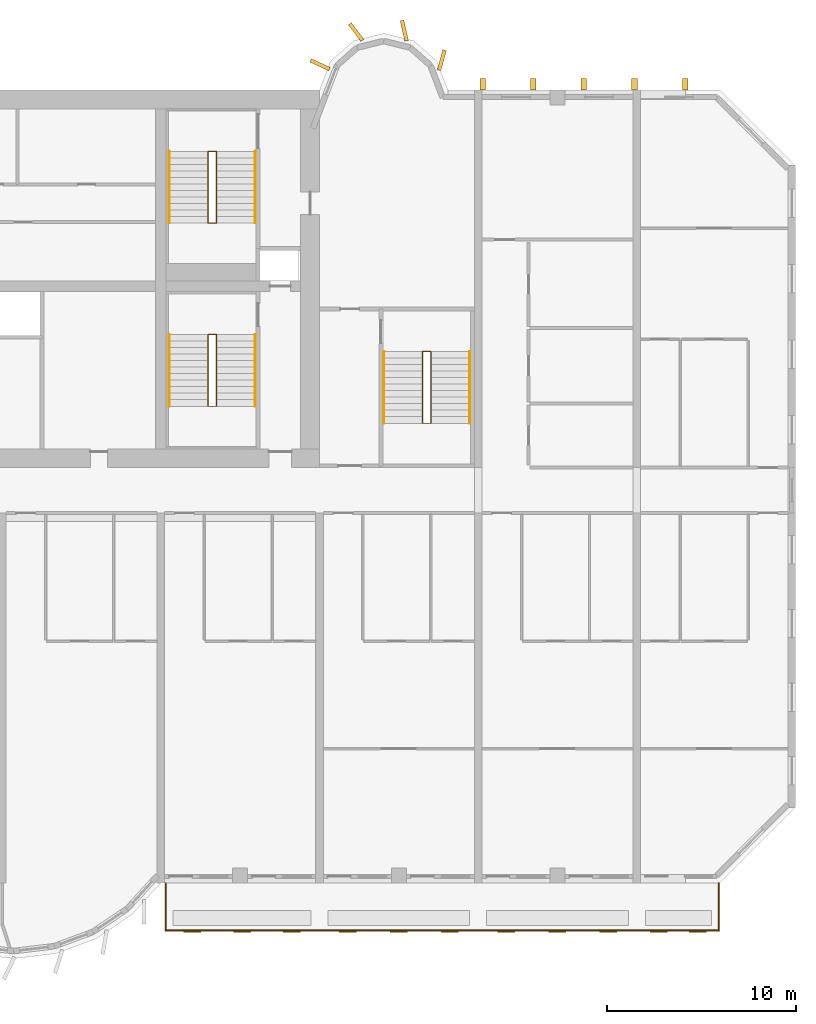
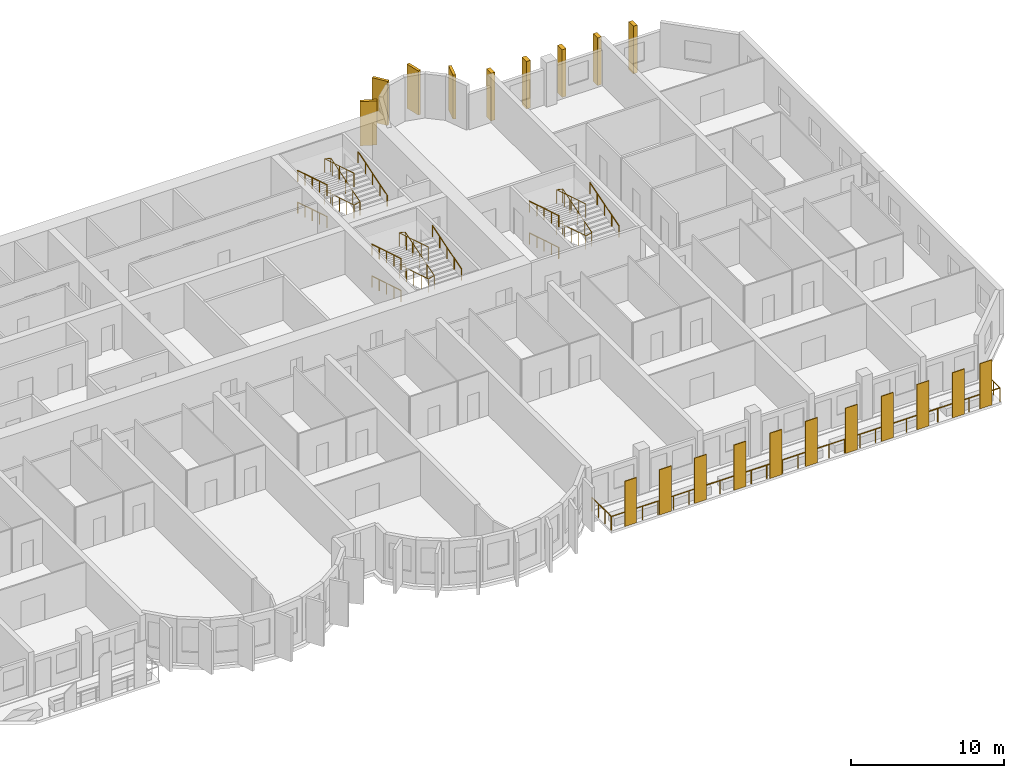
# One storey, part 14 of 15: 20 coverings, 13 railings.
"""IFC4 building model written with IfcOpenShell, lengths in metres."""

import ifcopenshell
import ifcopenshell.guid

model = None  # the IFC model being written
_history = None  # IfcOwnerHistory: only IFC2X3 demands one
_inside = {}  # id of a spatial element -> (the spatial element, [elements in it])
_under = {}  # id of a project, library or spatial element -> (it, [spatial elements below it])
_declared = {}  # id of a project -> (the project, [libraries it declares])
_typed = {}  # id of a type object -> (the type object, [elements of that type])
_made_of = {}  # id of a material, layer set ... -> (it, [elements and type objects made of it])


def new_model(schema):
    """Start an empty IFC model of exactly this schema.

    Asked for "IFC4X3", IfcOpenShell would pick the latest addendum, in which some entities
    have other attributes; the version numbers below select the first issue.
    IFC2X3 requires an IfcOwnerHistory on every rooted entity: one is made here for all.
    """
    global model, _history
    if schema == "IFC4X3":
        model = ifcopenshell.file(schema_version=(4, 3, 0, 0))
    else:
        model = ifcopenshell.file(schema=schema)
    _inside.clear()
    _under.clear()
    _declared.clear()
    _typed.clear()
    _made_of.clear()
    _history = None
    if model.schema == "IFC2X3":
        org = make("IfcOrganization", Name="unknown")
        user = make(
            "IfcPersonAndOrganization",
            ThePerson=make("IfcPerson", FamilyName="unknown"),
            TheOrganization=org,
        )
        app = make(
            "IfcApplication",
            ApplicationDeveloper=org,
            Version="unknown",
            ApplicationFullName="unknown",
            ApplicationIdentifier="unknown",
        )
        _history = make(
            "IfcOwnerHistory",
            OwningUser=user,
            OwningApplication=app,
            ChangeAction="ADDED",
            CreationDate=0,
        )
    return model


def make(cls, **values):
    """One entity of the class cls with the attributes given. An attribute that is None is left unset."""
    return model.create_entity(
        cls, **{name: value for name, value in values.items() if value is not None}
    )


def rooted(cls, **values):
    """An entity with a GlobalId (a new one), such as an element, a storey or a relation."""
    return make(cls, GlobalId=ifcopenshell.guid.new(), OwnerHistory=_history, **values)


def si_unit(unit_type, name, prefix=None):
    """IfcSIUnit, for example si_unit("LENGTHUNIT", "METRE", prefix="MILLI")."""
    return make("IfcSIUnit", UnitType=unit_type, Prefix=prefix, Name=name)


def assignment(units):
    """IfcUnitAssignment: the units of a project."""
    return None if units is None else make("IfcUnitAssignment", Units=units)


def point(xyz):
    """IfcCartesianPoint."""
    return None if xyz is None else make("IfcCartesianPoint", Coordinates=xyz)


def direction(xyz):
    """IfcDirection."""
    return None if xyz is None else make("IfcDirection", DirectionRatios=xyz)


def frame(location, z_axis=None, x_axis=None):
    """IfcAxis2Placement3D, a coordinate frame: its origin and axes. An axis left out is left unset."""
    return make(
        "IfcAxis2Placement3D",
        Location=point(location),
        Axis=direction(z_axis),
        RefDirection=direction(x_axis),
    )


def frame_2d(location, x_axis=None):
    """IfcAxis2Placement2D, a coordinate frame in the plane: its origin and x axis."""
    return make(
        "IfcAxis2Placement2D", Location=point(location), RefDirection=direction(x_axis)
    )


def origin():
    """The frame at (0, 0, 0) with its axes left unset."""
    return frame((0.0, 0.0, 0.0))


def origin_2d():
    """The frame at (0, 0) in the plane with its x axis left unset."""
    return frame_2d((0.0, 0.0))


def place(relative_to, where):
    """IfcLocalPlacement: puts the frame where relative to a parent placement (None: the world)."""
    return make(
        "IfcLocalPlacement", PlacementRelTo=relative_to, RelativePlacement=where
    )


def context(
    kind, dimensions, precision=None, world=None, true_north=None, identifier=None
):
    """IfcGeometricRepresentationContext, for example the 3D "Model" context."""
    return make(
        "IfcGeometricRepresentationContext",
        ContextIdentifier=identifier,
        ContextType=kind,
        CoordinateSpaceDimension=dimensions,
        Precision=precision,
        WorldCoordinateSystem=world,
        TrueNorth=true_north,
    )


def subcontext(parent, identifier, kind, view, scale=None):
    """IfcGeometricRepresentationSubContext, for example "Body" below "Model"."""
    return make(
        "IfcGeometricRepresentationSubContext",
        ContextIdentifier=identifier,
        ContextType=kind,
        ParentContext=parent,
        TargetScale=scale,
        TargetView=view,
    )


def project(units=None, contexts=None):
    """IfcProject with its units and contexts."""
    return rooted(
        "IfcProject",
        Name="project",
        RepresentationContexts=contexts,
        UnitsInContext=assignment(units),
    )


def spatial(cls, under=None, at=None, **own):
    """A site, building, storey or space (cls), placed at a placement, below another one or the project."""
    s = rooted(cls, ObjectPlacement=at, **own)
    if under is not None:
        _under.setdefault(under.id(), (under, []))[1].append(s)
    return s


def profile(cls, at=None, kind="AREA", **sizes):
    """A parametric profile (cls). Its sizes go by their IFC names, for example OverallWidth=200.0."""
    return make(cls, ProfileType=kind, Position=at, **sizes)


def rectangle(**sizes):
    """IfcRectangleProfileDef."""
    return profile("IfcRectangleProfileDef", **sizes)


def circle(**sizes):
    """IfcCircleProfileDef."""
    return profile("IfcCircleProfileDef", **sizes)


def extrude(swept, where, along, depth):
    """IfcExtrudedAreaSolid: the profile swept, set in the frame where, extruded along a direction by depth."""
    return make(
        "IfcExtrudedAreaSolid",
        SweptArea=swept,
        Position=where,
        ExtrudedDirection=direction(along),
        Depth=depth,
    )


def shape(context_of_items, identifier, shape_type, items):
    """IfcShapeRepresentation: the items that make up one representation, for example the "Body"."""
    return make(
        "IfcShapeRepresentation",
        ContextOfItems=context_of_items,
        RepresentationIdentifier=identifier,
        RepresentationType=shape_type,
        Items=items,
    )


def source(mapping_origin, context_of_items, identifier, shape_type, items):
    """IfcRepresentationMap: a shape defined once, which mapped items show again and again."""
    return make(
        "IfcRepresentationMap",
        MappingOrigin=mapping_origin,
        MappedRepresentation=shape(context_of_items, identifier, shape_type, items),
    )


def transform(
    local_origin,
    x_axis=None,
    y_axis=None,
    z_axis=None,
    scale=None,
    scale2=None,
    scale3=None,
    uniform=True,
):
    """IfcCartesianTransformationOperator3D, or its non-uniform kind. x_axis, y_axis, z_axis: its Axis1, 2, 3."""
    if uniform:
        return make(
            "IfcCartesianTransformationOperator3D",
            Axis1=direction(x_axis),
            Axis2=direction(y_axis),
            LocalOrigin=point(local_origin),
            Scale=scale,
            Axis3=direction(z_axis),
        )
    return make(
        "IfcCartesianTransformationOperator3DnonUniform",
        Axis1=direction(x_axis),
        Axis2=direction(y_axis),
        LocalOrigin=point(local_origin),
        Scale=scale,
        Axis3=direction(z_axis),
        Scale2=scale2,
        Scale3=scale3,
    )


def mapped(mapping_source, mapping_target):
    """IfcMappedItem: shows the shape of a source again, moved by a transform."""
    return make(
        "IfcMappedItem", MappingSource=mapping_source, MappingTarget=mapping_target
    )


def material(Name=None, Category=None):
    """IfcMaterial."""
    return make("IfcMaterial", Name=Name, Category=Category)


def layer(
    of_material, thickness, ventilated=None, Name=None, Category=None, Priority=None
):
    """IfcMaterialLayer: one layer of a wall or slab, of a material (None: an air gap)."""
    return make(
        "IfcMaterialLayer",
        Material=of_material,
        LayerThickness=thickness,
        IsVentilated=ventilated,
        Name=Name,
        Category=Category,
        Priority=Priority,
    )


def layer_set(layers, Name=None):
    """IfcMaterialLayerSet."""
    return make("IfcMaterialLayerSet", MaterialLayers=layers, LayerSetName=Name)


def material_profile(
    of_material, cross_section, Name=None, Category=None, Priority=None
):
    """IfcMaterialProfile: a cross section and its material."""
    return make(
        "IfcMaterialProfile",
        Name=Name,
        Material=of_material,
        Profile=cross_section,
        Priority=Priority,
        Category=Category,
    )


def profile_set(profiles, Name=None, composite=None):
    """IfcMaterialProfileSet."""
    return make(
        "IfcMaterialProfileSet",
        Name=Name,
        MaterialProfiles=profiles,
        CompositeProfile=composite,
    )


def made_of(thing, what):
    """Note that an element or type object is made of a material, layer set ...; save() writes the relation."""
    if what is not None:
        _made_of.setdefault(what.id(), (what, []))[1].append(thing)
    return thing


def type_object(cls, material=None, **own):
    """A type object (cls), such as IfcWallType, which elements share."""
    return made_of(rooted(cls, **own), material)


def element(
    cls,
    number,
    at=None,
    inside=None,
    cuts=None,
    type_object=None,
    material=None,
    context=None,
    identifier="Body",
    shape_type=None,
    held_by="IfcProductDefinitionShape",
    body=None,
    shapes=None,
    **own,
):
    """One element of the class cls, such as IfcWall. Its Tag is "e" and its number.

    at: its placement. inside: the storey or other place that contains it. cuts: it is an
    opening in that element (IfcRelVoidsElement). A single representation is given by context,
    identifier, shape_type and body (its items); several are given by shapes. held_by: the class
    of the entity that holds the representations. save() writes the other relations.
    """
    e = rooted(cls, Tag="e%d" % number, ObjectPlacement=at, **own)
    if body is not None:
        shapes = [shape(context, identifier, shape_type, body)]
    if shapes is not None:
        e.Representation = make(held_by, Representations=shapes)
    if inside is not None:
        _inside.setdefault(inside.id(), (inside, []))[1].append(e)
    if cuts is not None:
        rooted(
            "IfcRelVoidsElement", RelatingBuildingElement=cuts, RelatedOpeningElement=e
        )
    if type_object is not None:
        _typed.setdefault(type_object.id(), (type_object, []))[1].append(e)
    return made_of(e, material)


def aggregate(whole, parts):
    """IfcRelAggregates: a whole, such as a stair, and the parts it consists of."""
    return rooted("IfcRelAggregates", RelatingObject=whole, RelatedObjects=parts)


def save(model, path):
    """Write the relations noted so far, then the file.

    IfcRelAggregates (storeys below a building ...), IfcRelContainedInSpatialStructure (elements
    in a storey), IfcRelDefinesByType, IfcRelAssociatesMaterial and IfcRelDeclares: one each for
    every whole, place, type object, material and project.
    """
    for whole, parts in _under.values():
        aggregate(whole, parts)
    for where, things in _inside.values():
        rooted(
            "IfcRelContainedInSpatialStructure",
            RelatedElements=things,
            RelatingStructure=where,
        )
    for kind, things in _typed.values():
        rooted("IfcRelDefinesByType", RelatedObjects=things, RelatingType=kind)
    for what, things in _made_of.values():
        rooted("IfcRelAssociatesMaterial", RelatedObjects=things, RelatingMaterial=what)
    for by, libraries in _declared.values():
        rooted("IfcRelDeclares", RelatingContext=by, RelatedDefinitions=libraries)
    model.write(path)


model = new_model("IFC4")

# Units and contexts
model_context = context("Model", 3, precision=1e-05, world=origin(), true_north=direction((0.0, 1.0)))
body_context = subcontext(model_context, "Body", "Model", "MODEL_VIEW")
ifc_project = project(units=[si_unit("LENGTHUNIT", "METRE"), si_unit("AREAUNIT", "SQUARE_METRE"), si_unit("VOLUMEUNIT", "CUBIC_METRE"), si_unit("PLANEANGLEUNIT", "RADIAN"), si_unit("MASSUNIT", "GRAM", prefix="KILO")], contexts=[model_context])

# Site, building, storey
site_placement = place(None, origin())
site = spatial("IfcSite", under=ifc_project, at=site_placement, CompositionType="ELEMENT")
building_placement = place(site_placement, origin())
building = spatial("IfcBuilding", under=site, at=building_placement, Name="Vanashikhar Sky Hotel", CompositionType="ELEMENT")
storey_placement = place(building_placement, frame((0.0, 0.0, 69.60009765625)))
storey = spatial("IfcBuildingStorey", under=building, at=storey_placement, Name="L16", CompositionType="ELEMENT", Elevation=69.60009765625)

# Railing
ifc_material_1 = material(Name="Stainless steel 316", Category="steel")
railing_type_1 = type_object("IfcRailingType", Name="Balcony guard 1100", PredefinedType="GUARDRAIL", material=ifc_material_1)
shared_shape_1 = source(origin(), body_context, "Body", "SweptSolid", [
    extrude(circle(Radius=0.02392578125, at=origin_2d()), frame((0.0, 0.0, 1.076171875), z_axis=(0.0, -1.0, 0.0), x_axis=(1.0, 0.0, 0.0)), (0.0, 0.0, 1.0), 2.5),
    extrude(circle(Radius=0.02392578125, at=origin_2d()), frame((0.0, -2.5, 1.076171875), z_axis=(1.0, 0.0, 0.0), x_axis=(0.0, 1.0, 0.0)), (0.0, 0.0, 1.0), 29.280029296875),
    extrude(circle(Radius=0.02392578125, at=origin_2d()), frame((29.280029296875, -2.5, 1.076171875), z_axis=(0.0, 1.0, 0.0), x_axis=(-1.0, 0.0, 0.0)), (0.0, 0.0, 1.0), 2.5),
    extrude(circle(Radius=0.02099609375, at=origin_2d()), origin(), (0.0, 0.0, 1.0), 1.052001953125),
    extrude(circle(Radius=0.02099609375, at=origin_2d()), frame((0.0, -0.833251953125, 0.0)), (0.0, 0.0, 1.0), 1.052001953125),
    extrude(circle(Radius=0.02099609375, at=origin_2d()), frame((0.0, -1.666748046875, 0.0)), (0.0, 0.0, 1.0), 1.052001953125),
    extrude(circle(Radius=0.02099609375, at=origin_2d()), frame((0.0, -2.5, 0.0)), (0.0, 0.0, 1.0), 1.052001953125),
    extrude(circle(Radius=0.02099609375, at=origin_2d()), frame((1.171142578125, -2.5, 0.0)), (0.0, 0.0, 1.0), 1.052001953125),
    extrude(circle(Radius=0.02099609375, at=origin_2d()), frame((2.34228515625, -2.5, 0.0)), (0.0, 0.0, 1.0), 1.052001953125),
    extrude(circle(Radius=0.02099609375, at=origin_2d()), frame((3.513671875, -2.5, 0.0)), (0.0, 0.0, 1.0), 1.052001953125),
    extrude(circle(Radius=0.02099609375, at=origin_2d()), frame((4.684814453125, -2.5, 0.0)), (0.0, 0.0, 1.0), 1.052001953125),
    extrude(circle(Radius=0.02099609375, at=origin_2d()), frame((5.85595703125, -2.5, 0.0)), (0.0, 0.0, 1.0), 1.052001953125),
    extrude(circle(Radius=0.02099609375, at=origin_2d()), frame((7.027099609375, -2.5, 0.0)), (0.0, 0.0, 1.0), 1.052001953125),
    extrude(circle(Radius=0.02099609375, at=origin_2d()), frame((8.198486328125, -2.5, 0.0)), (0.0, 0.0, 1.0), 1.052001953125),
    extrude(circle(Radius=0.02099609375, at=origin_2d()), frame((9.36962890625, -2.5, 0.0)), (0.0, 0.0, 1.0), 1.052001953125),
    extrude(circle(Radius=0.02099609375, at=origin_2d()), frame((10.540771484375, -2.5, 0.0)), (0.0, 0.0, 1.0), 1.052001953125),
    extrude(circle(Radius=0.02099609375, at=origin_2d()), frame((11.7119140625, -2.5, 0.0)), (0.0, 0.0, 1.0), 1.052001953125),
    extrude(circle(Radius=0.02099609375, at=origin_2d()), frame((12.88330078125, -2.5, 0.0)), (0.0, 0.0, 1.0), 1.052001953125),
    extrude(circle(Radius=0.02099609375, at=origin_2d()), frame((14.054443359375, -2.5, 0.0)), (0.0, 0.0, 1.0), 1.052001953125),
    extrude(circle(Radius=0.02099609375, at=origin_2d()), frame((15.2255859375, -2.5, 0.0)), (0.0, 0.0, 1.0), 1.052001953125),
    extrude(circle(Radius=0.02099609375, at=origin_2d()), frame((16.396728515625, -2.5, 0.0)), (0.0, 0.0, 1.0), 1.052001953125),
    extrude(circle(Radius=0.02099609375, at=origin_2d()), frame((17.568115234375, -2.5, 0.0)), (0.0, 0.0, 1.0), 1.052001953125),
    extrude(circle(Radius=0.02099609375, at=origin_2d()), frame((18.7392578125, -2.5, 0.0)), (0.0, 0.0, 1.0), 1.052001953125),
    extrude(circle(Radius=0.02099609375, at=origin_2d()), frame((19.910400390625, -2.5, 0.0)), (0.0, 0.0, 1.0), 1.052001953125),
    extrude(circle(Radius=0.02099609375, at=origin_2d()), frame((21.08154296875, -2.5, 0.0)), (0.0, 0.0, 1.0), 1.052001953125),
    extrude(circle(Radius=0.02099609375, at=origin_2d()), frame((22.2529296875, -2.5, 0.0)), (0.0, 0.0, 1.0), 1.052001953125),
    extrude(circle(Radius=0.02099609375, at=origin_2d()), frame((23.424072265625, -2.5, 0.0)), (0.0, 0.0, 1.0), 1.052001953125),
    extrude(circle(Radius=0.02099609375, at=origin_2d()), frame((24.59521484375, -2.5, 0.0)), (0.0, 0.0, 1.0), 1.052001953125),
    extrude(circle(Radius=0.02099609375, at=origin_2d()), frame((25.766357421875, -2.5, 0.0)), (0.0, 0.0, 1.0), 1.052001953125),
    extrude(circle(Radius=0.02099609375, at=origin_2d()), frame((26.937744140625, -2.5, 0.0)), (0.0, 0.0, 1.0), 1.052001953125),
    extrude(circle(Radius=0.02099609375, at=origin_2d()), frame((28.10888671875, -2.5, 0.0)), (0.0, 0.0, 1.0), 1.052001953125),
    extrude(circle(Radius=0.02099609375, at=origin_2d()), frame((29.280029296875, -2.5, 0.0)), (0.0, 0.0, 1.0), 1.052001953125),
    extrude(circle(Radius=0.02099609375, at=origin_2d()), frame((29.280029296875, -1.666748046875, 0.0)), (0.0, 0.0, 1.0), 1.052001953125),
    extrude(circle(Radius=0.02099609375, at=origin_2d()), frame((29.280029296875, -0.833251953125, 0.0)), (0.0, 0.0, 1.0), 1.052001953125),
    extrude(circle(Radius=0.02099609375, at=origin_2d()), frame((29.280029296875, 0.0, 0.0)), (0.0, 0.0, 1.0), 1.052001953125),
])
railing_1_placement = place(storey_placement, frame((67.4599609375, 0.0, -0.050048828125)))
element("IfcRailing", 1, at=railing_1_placement, inside=storey, type_object=railing_type_1, Name="Balcony guard", PredefinedType="GUARDRAIL", context=body_context, shape_type="MappedRepresentation", body=[
    mapped(shared_shape_1, transform((0.0, 0.0, 0.0), scale=1.0)),
])

# Coverings
ifc_material_2 = material(Name="Terracotta", Category="masonry")
ifc_layer = layer(ifc_material_2, 0.06005859375)
ifc_layer_set = layer_set([ifc_layer], Name="Terracotta baguette screen")
covering_type_1 = type_object("IfcCoveringType", Name="Terracotta baguette screen", PredefinedType="CLADDING", material=ifc_layer_set)
shared_shape_2 = source(origin(), body_context, "Body", "SweptSolid", [
    extrude(rectangle(XDim=0.89990234375, YDim=0.06005859375, at=origin_2d()), origin(), (0.0, 0.0, 1.0), 3.60009765625),
])
for number, where, z_axis, x_axis, name in (
    (2, (68.86669921875, -2.570068359375, -0.050048828125), (0.0, 0.0, 1.0), (1.0, 0.0, 0.0), "Terracotta screen"),
    (3, (71.5, -2.570068359375, -0.050048828125), (0.0, 0.0, 1.0), (1.0, 0.0, 0.0), "Terracotta screen"),
    (4, (74.13330078125, -2.570068359375, -0.050048828125), (0.0, 0.0, 1.0), (1.0, 0.0, 0.0), "Terracotta screen"),
    (5, (77.10009765625, -2.570068359375, -0.050048828125), (0.0, 0.0, 1.0), (1.0, 0.0, 0.0), "Terracotta screen"),
    (6, (79.800048828125, -2.570068359375, -0.050048828125), (0.0, 0.0, 1.0), (1.0, 0.0, 0.0), "Terracotta screen"),
    (7, (82.5, -2.570068359375, -0.050048828125), (0.0, 0.0, 1.0), (1.0, 0.0, 0.0), "Terracotta screen"),
    (8, (85.5, -2.570068359375, -0.050048828125), (0.0, 0.0, 1.0), (1.0, 0.0, 0.0), "Terracotta screen"),
    (9, (88.199951171875, -2.570068359375, -0.050048828125), (0.0, 0.0, 1.0), (1.0, 0.0, 0.0), "Terracotta screen"),
    (10, (90.89990234375, -2.570068359375, -0.050048828125), (0.0, 0.0, 1.0), (1.0, 0.0, 0.0), "Terracotta screen"),
    (11, (93.574951171875, -2.570068359375, -0.050048828125), (0.0, 0.0, 1.0), (1.0, 0.0, 0.0), "Terracotta screen"),
    (12, (95.625, -2.570068359375, -0.050048828125), (0.0, 0.0, 1.0), (1.0, 0.0, 0.0), "Terracotta screen"),
):
    element("IfcCovering", number, at=place(storey_placement, frame(where, z_axis=z_axis, x_axis=x_axis)), inside=storey, type_object=covering_type_1, Name=name, PredefinedType="CLADDING", context=body_context, shape_type="MappedRepresentation", body=[
        mapped(shared_shape_2, transform((0.0, 0.0, 0.0), scale=1.0)),
    ])
ifc_material_3 = material(Name="Concrete M60 dark", Category="concrete")
ifc_material_profile_1 = material_profile(ifc_material_3, rectangle(XDim=1.10009765625, YDim=0.199951171875, at=origin_2d()))
ifc_profile_set_1 = profile_set([ifc_material_profile_1], Name="Rear lobe fin 1100 x 200")
covering_type_2 = type_object("IfcCoveringType", Name="Rear lobe fin 1100 x 200", PredefinedType="CLADDING", material=ifc_profile_set_1)
shared_shape_3 = source(origin(), body_context, "Body", "SweptSolid", [
    extrude(rectangle(XDim=1.10009765625, YDim=0.199951171875, at=origin_2d()), origin(), (0.0, 0.0, 1.0), 3.52001953125),
])
for number, where, z_axis, x_axis, name in (
    (13, (75.63037109375, 43.33447265625, 0.0), (0.0, 0.0, 1.0), (-0.908004291068, 0.418960866193, 0.0), "Fin R2-1"),
    (14, (77.5380859375, 45.06640625, 0.0), (0.0, 0.0, 1.0), (-0.602065892195, 0.798446404874, 0.0), "Fin R2-2"),
    (15, (80.08984375, 45.1455078125, 0.0), (0.0, 0.0, 1.0), (-0.224644935864, 0.974440687159, 0.0), "Fin R2-3"),
    (16, (82.0791015625, 43.580078125, 0.0), (0.0, 0.0, 1.0), (0.262711264409, 0.964874495234, 0.0), "Fin R2-4"),
):
    element("IfcCovering", number, at=place(storey_placement, frame(where, z_axis=z_axis, x_axis=x_axis)), inside=storey, type_object=covering_type_2, Name=name, PredefinedType="CLADDING", context=body_context, shape_type="MappedRepresentation", body=[
        mapped(shared_shape_3, transform((0.0, 0.0, 0.0), scale=1.0)),
    ])
ifc_material_profile_2 = material_profile(ifc_material_3, rectangle(XDim=0.60009765625, YDim=0.300048828125, at=origin_2d()))
ifc_profile_set_2 = profile_set([ifc_material_profile_2], Name="Rear rib 600 x 300")
covering_type_3 = type_object("IfcCoveringType", Name="Rear rib 600 x 300", PredefinedType="CLADDING", material=ifc_profile_set_2)
shared_shape_4 = source(origin(), body_context, "Body", "SweptSolid", [
    extrude(rectangle(XDim=0.60009765625, YDim=0.300048828125, at=origin_2d()), origin(), (0.0, 0.0, 1.0), 3.800048828125),
])
for number, where, z_axis, x_axis, name in (
    (17, (84.239990234375, 42.300048828125, -0.280029296875), (0.0, 0.0, 1.0), (0.0, 1.0, 0.0), "Rear rib"),
    (18, (86.919921875, 42.300048828125, -0.280029296875), (0.0, 0.0, 1.0), (0.0, 1.0, 0.0), "Rear rib"),
    (19, (89.60009765625, 42.300048828125, -0.280029296875), (0.0, 0.0, 1.0), (0.0, 1.0, 0.0), "Rear rib"),
    (20, (92.280029296875, 42.300048828125, -0.280029296875), (0.0, 0.0, 1.0), (0.0, 1.0, 0.0), "Rear rib"),
    (21, (94.9599609375, 42.300048828125, -0.280029296875), (0.0, 0.0, 1.0), (0.0, 1.0, 0.0), "Rear rib"),
):
    element("IfcCovering", number, at=place(storey_placement, frame(where, z_axis=z_axis, x_axis=x_axis)), inside=storey, type_object=covering_type_3, Name=name, PredefinedType="CLADDING", context=body_context, shape_type="MappedRepresentation", body=[
        mapped(shared_shape_4, transform((0.0, 0.0, 0.0), scale=1.0)),
    ])

# Railings
ifc_material_4 = material(Name="Steel S355", Category="steel")
railing_type_2 = type_object("IfcRailingType", Name="Stair handrail 900", PredefinedType="HANDRAIL", material=ifc_material_4)
shared_shape_5 = source(origin(), body_context, "Body", "SweptSolid", [
    extrude(circle(Radius=0.02392578125, at=origin_2d()), frame((0.0, 0.0, 0.8759765625), z_axis=(0.0, 0.95635109408, 0.292220096591), x_axis=(-1.0, 0.0, 0.0)), (0.0, 0.0, 1.0), 3.973388671875),
    extrude(circle(Radius=0.02099609375, at=origin_2d()), origin(), (0.0, 0.0, 1.0), 0.851806640625),
    extrude(circle(Radius=0.02099609375, at=origin_2d()), frame((0.0, 0.949951171875, 0.290283203125)), (0.0, 0.0, 1.0), 0.851806640625),
    extrude(circle(Radius=0.02099609375, at=origin_2d()), frame((0.0, 1.89990234375, 0.58056640625)), (0.0, 0.0, 1.0), 0.851806640625),
    extrude(circle(Radius=0.02099609375, at=origin_2d()), frame((0.0, 2.85009765625, 0.870849609375)), (0.0, 0.0, 1.0), 0.851806640625),
    extrude(circle(Radius=0.02099609375, at=origin_2d()), frame((0.0, 3.800048828125, 1.1611328125)), (0.0, 0.0, 1.0), 0.851806640625),
])
for number, where, name in (
    (22, (72.199951171875, 25.25, 1.3720703125), "Exit stair 2 handrail"),
    (23, (72.199951171875, 34.949951171875, 1.3720703125), "Exit stair 6 handrail"),
):
    element("IfcRailing", number, at=place(storey_placement, frame(where)), inside=storey, type_object=railing_type_2, Name=name, PredefinedType="HANDRAIL", context=body_context, shape_type="MappedRepresentation", body=[
        mapped(shared_shape_5, transform((0.0, 0.0, 0.0), scale=1.0)),
    ])
shared_shape_6 = source(origin(), body_context, "Body", "SweptSolid", [
    extrude(circle(Radius=0.02392578125, at=origin_2d()), frame((0.0, 0.0, 0.8759765625), z_axis=(0.0, -0.95635109408, 0.292220096591), x_axis=(1.0, 0.0, 0.0)), (0.0, 0.0, 1.0), 3.973388671875),
    extrude(circle(Radius=0.02099609375, at=origin_2d()), origin(), (0.0, 0.0, 1.0), 0.851806640625),
    extrude(circle(Radius=0.02099609375, at=origin_2d()), frame((0.0, -0.949951171875, 0.290283203125)), (0.0, 0.0, 1.0), 0.851806640625),
    extrude(circle(Radius=0.02099609375, at=origin_2d()), frame((0.0, -1.89990234375, 0.58056640625)), (0.0, 0.0, 1.0), 0.851806640625),
    extrude(circle(Radius=0.02099609375, at=origin_2d()), frame((0.0, -2.85009765625, 0.870849609375)), (0.0, 0.0, 1.0), 0.851806640625),
    extrude(circle(Radius=0.02099609375, at=origin_2d()), frame((0.0, -3.800048828125, 1.1611328125)), (0.0, 0.0, 1.0), 0.851806640625),
])
for number, where, name in (
    (24, (67.64990234375, 29.050048828125, 0.10546875), "Exit stair 2 handrail"),
    (25, (67.64990234375, 29.050048828125, 2.638671875), "Exit stair 2 handrail"),
    (26, (67.64990234375, 38.75, 0.10546875), "Exit stair 6 handrail"),
    (27, (67.64990234375, 38.75, 2.638671875), "Exit stair 6 handrail"),
):
    element("IfcRailing", number, at=place(storey_placement, frame(where)), inside=storey, type_object=railing_type_2, Name=name, PredefinedType="HANDRAIL", context=body_context, shape_type="MappedRepresentation", body=[
        mapped(shared_shape_6, transform((0.0, 0.0, 0.0), scale=1.0)),
    ])
railing_type_3 = type_object("IfcRailingType", Name="Stair guard 1100", PredefinedType="GUARDRAIL", material=ifc_material_4)
shared_shape_7 = source(origin(), body_context, "Body", "SweptSolid", [
    extrude(circle(Radius=0.02392578125, at=origin_2d()), frame((0.0, 0.0, 1.076171875), z_axis=(-0.973610808694, 0.0, 0.228214796178), x_axis=(0.0, -1.0, 0.0)), (0.0, 0.0, 1.0), 0.462158203125),
    extrude(circle(Radius=0.02392578125, at=origin_2d()), frame((-0.449951171875, 0.0, 1.181640625), z_axis=(0.0, -0.95635109408, 0.292220096591), x_axis=(1.0, 0.0, 0.0)), (0.0, 0.0, 1.0), 3.973388671875),
    extrude(circle(Radius=0.02392578125, at=origin_2d()), frame((-0.449951171875, -3.800048828125, 2.3427734375), z_axis=(0.973610808694, 0.0, 0.228214796178), x_axis=(0.0, 1.0, 0.0)), (0.0, 0.0, 1.0), 0.462158203125),
    extrude(circle(Radius=0.02392578125, at=origin_2d()), frame((0.0, -3.800048828125, 2.4482421875), z_axis=(0.0, 0.95635109408, 0.292220096591), x_axis=(-1.0, 0.0, 0.0)), (0.0, 0.0, 1.0), 3.973388671875),
    extrude(circle(Radius=0.02392578125, at=origin_2d()), frame((0.0, 0.0, 3.609375), z_axis=(-0.973610808694, 0.0, 0.228214796178), x_axis=(0.0, -1.0, 0.0)), (0.0, 0.0, 1.0), 0.462158203125),
    extrude(circle(Radius=0.02392578125, at=origin_2d()), frame((-0.449951171875, 0.0, 3.71484375), z_axis=(0.0, -0.95635109408, 0.292220096591), x_axis=(1.0, 0.0, 0.0)), (0.0, 0.0, 1.0), 3.973388671875),
    extrude(circle(Radius=0.02099609375, at=origin_2d()), origin(), (0.0, 0.0, 1.0), 1.052001953125),
    extrude(circle(Radius=0.02099609375, at=origin_2d()), frame((-0.449951171875, 0.0, 0.10546875)), (0.0, 0.0, 1.0), 1.052001953125),
    extrude(circle(Radius=0.02099609375, at=origin_2d()), frame((-0.449951171875, -0.949951171875, 0.395751953125)), (0.0, 0.0, 1.0), 1.052001953125),
    extrude(circle(Radius=0.02099609375, at=origin_2d()), frame((-0.449951171875, -1.89990234375, 0.68603515625)), (0.0, 0.0, 1.0), 1.052001953125),
    extrude(circle(Radius=0.02099609375, at=origin_2d()), frame((-0.449951171875, -2.85009765625, 0.976318359375)), (0.0, 0.0, 1.0), 1.052001953125),
    extrude(circle(Radius=0.02099609375, at=origin_2d()), frame((-0.449951171875, -3.800048828125, 1.2666015625)), (0.0, 0.0, 1.0), 1.052001953125),
    extrude(circle(Radius=0.02099609375, at=origin_2d()), frame((0.0, -3.800048828125, 1.3720703125)), (0.0, 0.0, 1.0), 1.052001953125),
    extrude(circle(Radius=0.02099609375, at=origin_2d()), frame((0.0, -2.85009765625, 1.662353515625)), (0.0, 0.0, 1.0), 1.052001953125),
    extrude(circle(Radius=0.02099609375, at=origin_2d()), frame((0.0, -1.89990234375, 1.95263671875)), (0.0, 0.0, 1.0), 1.052001953125),
    extrude(circle(Radius=0.02099609375, at=origin_2d()), frame((0.0, -0.949951171875, 2.242919921875)), (0.0, 0.0, 1.0), 1.052001953125),
    extrude(circle(Radius=0.02099609375, at=origin_2d()), frame((0.0, 0.0, 2.533203125)), (0.0, 0.0, 1.0), 1.052001953125),
    extrude(circle(Radius=0.02099609375, at=origin_2d()), frame((-0.449951171875, 0.0, 2.638671875)), (0.0, 0.0, 1.0), 1.052001953125),
    extrude(circle(Radius=0.02099609375, at=origin_2d()), frame((-0.449951171875, -0.949951171875, 2.928955078125)), (0.0, 0.0, 1.0), 1.052001953125),
    extrude(circle(Radius=0.02099609375, at=origin_2d()), frame((-0.449951171875, -1.89990234375, 3.21923828125)), (0.0, 0.0, 1.0), 1.052001953125),
    extrude(circle(Radius=0.02099609375, at=origin_2d()), frame((-0.449951171875, -2.85009765625, 3.509521484375)), (0.0, 0.0, 1.0), 1.052001953125),
    extrude(circle(Radius=0.02099609375, at=origin_2d()), frame((-0.449951171875, -3.800048828125, 3.7998046875)), (0.0, 0.0, 1.0), 1.052001953125),
])
for number, where, name in (
    (28, (70.14990234375, 29.050048828125, 0.0), "Exit stair 2 guard"),
    (29, (70.14990234375, 38.75, 0.0), "Exit stair 6 guard"),
):
    element("IfcRailing", number, at=place(storey_placement, frame(where)), inside=storey, type_object=railing_type_3, Name=name, PredefinedType="GUARDRAIL", context=body_context, shape_type="MappedRepresentation", body=[
        mapped(shared_shape_7, transform((0.0, 0.0, 0.0), scale=1.0)),
    ])
shared_shape_8 = source(origin(), body_context, "Body", "SweptSolid", [
    extrude(circle(Radius=0.02392578125, at=origin_2d()), frame((0.0, 0.0, 0.8759765625), z_axis=(0.0, 0.956345846891, 0.292237268557), x_axis=(-1.0, 0.0, 0.0)), (0.0, 0.0, 1.0), 3.97314453125),
    extrude(circle(Radius=0.02099609375, at=origin_2d()), origin(), (0.0, 0.0, 1.0), 0.851806640625),
    extrude(circle(Radius=0.02099609375, at=origin_2d()), frame((0.0, 0.949951171875, 0.290283203125)), (0.0, 0.0, 1.0), 0.851806640625),
    extrude(circle(Radius=0.02099609375, at=origin_2d()), frame((0.0, 1.89990234375, 0.58056640625)), (0.0, 0.0, 1.0), 0.851806640625),
    extrude(circle(Radius=0.02099609375, at=origin_2d()), frame((0.0, 2.849853515625, 0.870849609375)), (0.0, 0.0, 1.0), 0.851806640625),
    extrude(circle(Radius=0.02099609375, at=origin_2d()), frame((0.0, 3.7998046875, 1.1611328125)), (0.0, 0.0, 1.0), 0.851806640625),
])
railing_2_placement = place(storey_placement, frame((83.550048828125, 24.35009765625, 1.3720703125)))
element("IfcRailing", 30, at=railing_2_placement, inside=storey, type_object=railing_type_2, Name="Exit stair 4 handrail", PredefinedType="HANDRAIL", context=body_context, shape_type="MappedRepresentation", body=[
    mapped(shared_shape_8, transform((0.0, 0.0, 0.0), scale=1.0)),
])
shared_shape_9 = source(origin(), body_context, "Body", "SweptSolid", [
    extrude(circle(Radius=0.02392578125, at=origin_2d()), frame((0.0, 0.0, 0.8759765625), z_axis=(0.0, -0.956345846891, 0.292237268557), x_axis=(1.0, 0.0, 0.0)), (0.0, 0.0, 1.0), 3.97314453125),
    extrude(circle(Radius=0.02099609375, at=origin_2d()), origin(), (0.0, 0.0, 1.0), 0.851806640625),
    extrude(circle(Radius=0.02099609375, at=origin_2d()), frame((0.0, -0.949951171875, 0.290283203125)), (0.0, 0.0, 1.0), 0.851806640625),
    extrude(circle(Radius=0.02099609375, at=origin_2d()), frame((0.0, -1.89990234375, 0.58056640625)), (0.0, 0.0, 1.0), 0.851806640625),
    extrude(circle(Radius=0.02099609375, at=origin_2d()), frame((0.0, -2.849853515625, 0.870849609375)), (0.0, 0.0, 1.0), 0.851806640625),
    extrude(circle(Radius=0.02099609375, at=origin_2d()), frame((0.0, -3.7998046875, 1.1611328125)), (0.0, 0.0, 1.0), 0.851806640625),
])
for number, where, name in (
    (31, (79.0, 28.14990234375, 0.10546875), "Exit stair 4 handrail"),
    (32, (79.0, 28.14990234375, 2.638671875), "Exit stair 4 handrail"),
):
    element("IfcRailing", number, at=place(storey_placement, frame(where)), inside=storey, type_object=railing_type_2, Name=name, PredefinedType="HANDRAIL", context=body_context, shape_type="MappedRepresentation", body=[
        mapped(shared_shape_9, transform((0.0, 0.0, 0.0), scale=1.0)),
    ])
shared_shape_10 = source(origin(), body_context, "Body", "SweptSolid", [
    extrude(circle(Radius=0.02392578125, at=origin_2d()), frame((0.0, 0.0, 1.076171875), z_axis=(-0.973610808694, 0.0, 0.228214796178), x_axis=(0.0, -1.0, 0.0)), (0.0, 0.0, 1.0), 0.462158203125),
    extrude(circle(Radius=0.02392578125, at=origin_2d()), frame((-0.449951171875, 0.0, 1.181640625), z_axis=(0.0, -0.956345846891, 0.292237268557), x_axis=(1.0, 0.0, 0.0)), (0.0, 0.0, 1.0), 3.97314453125),
    extrude(circle(Radius=0.02392578125, at=origin_2d()), frame((-0.449951171875, -3.7998046875, 2.3427734375), z_axis=(0.973610808694, 0.0, 0.228214796178), x_axis=(0.0, 1.0, 0.0)), (0.0, 0.0, 1.0), 0.462158203125),
    extrude(circle(Radius=0.02392578125, at=origin_2d()), frame((0.0, -3.7998046875, 2.4482421875), z_axis=(0.0, 0.956345846891, 0.292237268557), x_axis=(-1.0, 0.0, 0.0)), (0.0, 0.0, 1.0), 3.97314453125),
    extrude(circle(Radius=0.02392578125, at=origin_2d()), frame((0.0, 0.0, 3.609375), z_axis=(-0.973610808694, 0.0, 0.228214796178), x_axis=(0.0, -1.0, 0.0)), (0.0, 0.0, 1.0), 0.462158203125),
    extrude(circle(Radius=0.02392578125, at=origin_2d()), frame((-0.449951171875, 0.0, 3.71484375), z_axis=(0.0, -0.956345846891, 0.292237268557), x_axis=(1.0, 0.0, 0.0)), (0.0, 0.0, 1.0), 3.97314453125),
    extrude(circle(Radius=0.02099609375, at=origin_2d()), origin(), (0.0, 0.0, 1.0), 1.052001953125),
    extrude(circle(Radius=0.02099609375, at=origin_2d()), frame((-0.449951171875, 0.0, 0.10546875)), (0.0, 0.0, 1.0), 1.052001953125),
    extrude(circle(Radius=0.02099609375, at=origin_2d()), frame((-0.449951171875, -0.949951171875, 0.395751953125)), (0.0, 0.0, 1.0), 1.052001953125),
    extrude(circle(Radius=0.02099609375, at=origin_2d()), frame((-0.449951171875, -1.89990234375, 0.68603515625)), (0.0, 0.0, 1.0), 1.052001953125),
    extrude(circle(Radius=0.02099609375, at=origin_2d()), frame((-0.449951171875, -2.849853515625, 0.976318359375)), (0.0, 0.0, 1.0), 1.052001953125),
    extrude(circle(Radius=0.02099609375, at=origin_2d()), frame((-0.449951171875, -3.7998046875, 1.2666015625)), (0.0, 0.0, 1.0), 1.052001953125),
    extrude(circle(Radius=0.02099609375, at=origin_2d()), frame((0.0, -3.7998046875, 1.3720703125)), (0.0, 0.0, 1.0), 1.052001953125),
    extrude(circle(Radius=0.02099609375, at=origin_2d()), frame((0.0, -2.849853515625, 1.662353515625)), (0.0, 0.0, 1.0), 1.052001953125),
    extrude(circle(Radius=0.02099609375, at=origin_2d()), frame((0.0, -1.89990234375, 1.95263671875)), (0.0, 0.0, 1.0), 1.052001953125),
    extrude(circle(Radius=0.02099609375, at=origin_2d()), frame((0.0, -0.949951171875, 2.242919921875)), (0.0, 0.0, 1.0), 1.052001953125),
    extrude(circle(Radius=0.02099609375, at=origin_2d()), frame((0.0, 0.0, 2.533203125)), (0.0, 0.0, 1.0), 1.052001953125),
    extrude(circle(Radius=0.02099609375, at=origin_2d()), frame((-0.449951171875, 0.0, 2.638671875)), (0.0, 0.0, 1.0), 1.052001953125),
    extrude(circle(Radius=0.02099609375, at=origin_2d()), frame((-0.449951171875, -0.949951171875, 2.928955078125)), (0.0, 0.0, 1.0), 1.052001953125),
    extrude(circle(Radius=0.02099609375, at=origin_2d()), frame((-0.449951171875, -1.89990234375, 3.21923828125)), (0.0, 0.0, 1.0), 1.052001953125),
    extrude(circle(Radius=0.02099609375, at=origin_2d()), frame((-0.449951171875, -2.849853515625, 3.509521484375)), (0.0, 0.0, 1.0), 1.052001953125),
    extrude(circle(Radius=0.02099609375, at=origin_2d()), frame((-0.449951171875, -3.7998046875, 3.7998046875)), (0.0, 0.0, 1.0), 1.052001953125),
])
railing_3_placement = place(storey_placement, frame((81.5, 28.14990234375, 0.0)))
element("IfcRailing", 33, at=railing_3_placement, inside=storey, type_object=railing_type_3, Name="Exit stair 4 guard", PredefinedType="GUARDRAIL", context=body_context, shape_type="MappedRepresentation", body=[
    mapped(shared_shape_10, transform((0.0, 0.0, 0.0), scale=1.0)),
])

save(model, "model.ifc")
